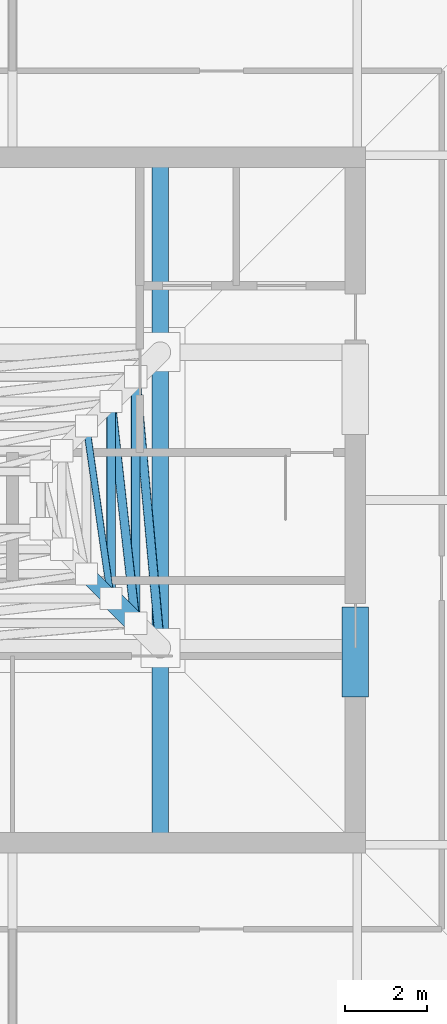
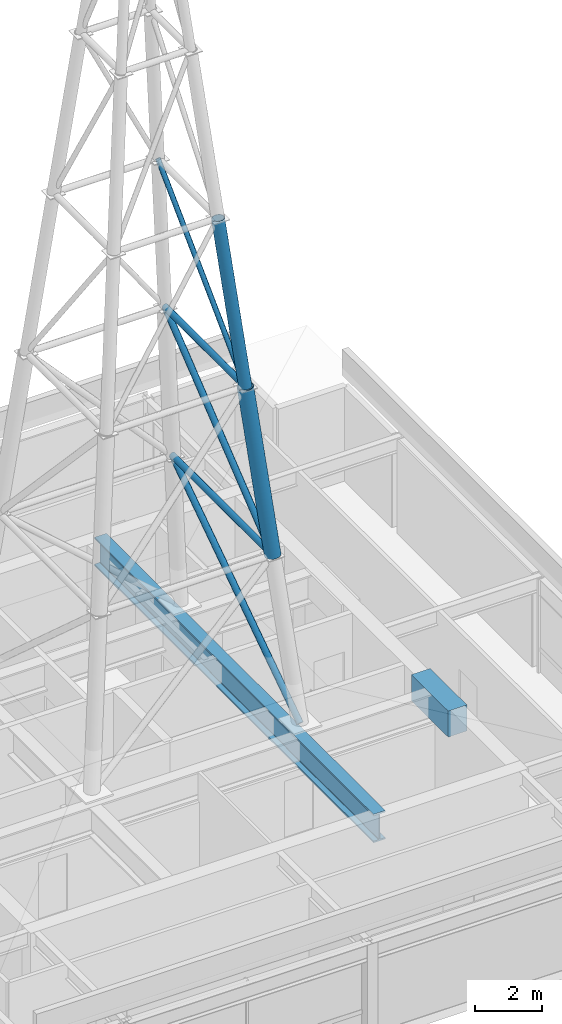
# One storey, part 7 of 13: 7 members, 2 beams.
"""IFC4 building model written with IfcOpenShell, lengths in metres."""

import ifcopenshell
import ifcopenshell.guid

model = None  # the IFC model being written
_history = None  # IfcOwnerHistory: only IFC2X3 demands one
_inside = {}  # id of a spatial element -> (the spatial element, [elements in it])
_under = {}  # id of a project, library or spatial element -> (it, [spatial elements below it])
_declared = {}  # id of a project -> (the project, [libraries it declares])
_typed = {}  # id of a type object -> (the type object, [elements of that type])
_made_of = {}  # id of a material, layer set ... -> (it, [elements and type objects made of it])


def new_model(schema):
    """Start an empty IFC model of exactly this schema.

    Asked for "IFC4X3", IfcOpenShell would pick the latest addendum, in which some entities
    have other attributes; the version numbers below select the first issue.
    IFC2X3 requires an IfcOwnerHistory on every rooted entity: one is made here for all.
    """
    global model, _history
    if schema == "IFC4X3":
        model = ifcopenshell.file(schema_version=(4, 3, 0, 0))
    else:
        model = ifcopenshell.file(schema=schema)
    _inside.clear()
    _under.clear()
    _declared.clear()
    _typed.clear()
    _made_of.clear()
    _history = None
    if model.schema == "IFC2X3":
        org = make("IfcOrganization", Name="unknown")
        user = make(
            "IfcPersonAndOrganization",
            ThePerson=make("IfcPerson", FamilyName="unknown"),
            TheOrganization=org,
        )
        app = make(
            "IfcApplication",
            ApplicationDeveloper=org,
            Version="unknown",
            ApplicationFullName="unknown",
            ApplicationIdentifier="unknown",
        )
        _history = make(
            "IfcOwnerHistory",
            OwningUser=user,
            OwningApplication=app,
            ChangeAction="ADDED",
            CreationDate=0,
        )
    return model


def make(cls, **values):
    """One entity of the class cls with the attributes given. An attribute that is None is left unset."""
    return model.create_entity(
        cls, **{name: value for name, value in values.items() if value is not None}
    )


def rooted(cls, **values):
    """An entity with a GlobalId (a new one), such as an element, a storey or a relation."""
    return make(cls, GlobalId=ifcopenshell.guid.new(), OwnerHistory=_history, **values)


def si_unit(unit_type, name, prefix=None):
    """IfcSIUnit, for example si_unit("LENGTHUNIT", "METRE", prefix="MILLI")."""
    return make("IfcSIUnit", UnitType=unit_type, Prefix=prefix, Name=name)


def assignment(units):
    """IfcUnitAssignment: the units of a project."""
    return None if units is None else make("IfcUnitAssignment", Units=units)


def point(xyz):
    """IfcCartesianPoint."""
    return None if xyz is None else make("IfcCartesianPoint", Coordinates=xyz)


def direction(xyz):
    """IfcDirection."""
    return None if xyz is None else make("IfcDirection", DirectionRatios=xyz)


def frame(location, z_axis=None, x_axis=None):
    """IfcAxis2Placement3D, a coordinate frame: its origin and axes. An axis left out is left unset."""
    return make(
        "IfcAxis2Placement3D",
        Location=point(location),
        Axis=direction(z_axis),
        RefDirection=direction(x_axis),
    )


def frame_2d(location, x_axis=None):
    """IfcAxis2Placement2D, a coordinate frame in the plane: its origin and x axis."""
    return make(
        "IfcAxis2Placement2D", Location=point(location), RefDirection=direction(x_axis)
    )


def origin():
    """The frame at (0, 0, 0) with its axes left unset."""
    return frame((0.0, 0.0, 0.0))


def origin_2d():
    """The frame at (0, 0) in the plane with its x axis left unset."""
    return frame_2d((0.0, 0.0))


def place(relative_to, where):
    """IfcLocalPlacement: puts the frame where relative to a parent placement (None: the world)."""
    return make(
        "IfcLocalPlacement", PlacementRelTo=relative_to, RelativePlacement=where
    )


def context(
    kind, dimensions, precision=None, world=None, true_north=None, identifier=None
):
    """IfcGeometricRepresentationContext, for example the 3D "Model" context."""
    return make(
        "IfcGeometricRepresentationContext",
        ContextIdentifier=identifier,
        ContextType=kind,
        CoordinateSpaceDimension=dimensions,
        Precision=precision,
        WorldCoordinateSystem=world,
        TrueNorth=true_north,
    )


def subcontext(parent, identifier, kind, view, scale=None):
    """IfcGeometricRepresentationSubContext, for example "Body" below "Model"."""
    return make(
        "IfcGeometricRepresentationSubContext",
        ContextIdentifier=identifier,
        ContextType=kind,
        ParentContext=parent,
        TargetScale=scale,
        TargetView=view,
    )


def project(units=None, contexts=None):
    """IfcProject with its units and contexts."""
    return rooted(
        "IfcProject",
        Name="project",
        RepresentationContexts=contexts,
        UnitsInContext=assignment(units),
    )


def spatial(cls, under=None, at=None, **own):
    """A site, building, storey or space (cls), placed at a placement, below another one or the project."""
    s = rooted(cls, ObjectPlacement=at, **own)
    if under is not None:
        _under.setdefault(under.id(), (under, []))[1].append(s)
    return s


def profile(cls, at=None, kind="AREA", **sizes):
    """A parametric profile (cls). Its sizes go by their IFC names, for example OverallWidth=200.0."""
    return make(cls, ProfileType=kind, Position=at, **sizes)


def rectangle(**sizes):
    """IfcRectangleProfileDef."""
    return profile("IfcRectangleProfileDef", **sizes)


def hollow_circle(**sizes):
    """IfcCircleHollowProfileDef."""
    return profile("IfcCircleHollowProfileDef", **sizes)


def i_section(**sizes):
    """IfcIShapeProfileDef."""
    return profile("IfcIShapeProfileDef", **sizes)


def extrude(swept, where, along, depth):
    """IfcExtrudedAreaSolid: the profile swept, set in the frame where, extruded along a direction by depth."""
    return make(
        "IfcExtrudedAreaSolid",
        SweptArea=swept,
        Position=where,
        ExtrudedDirection=direction(along),
        Depth=depth,
    )


def shape(context_of_items, identifier, shape_type, items):
    """IfcShapeRepresentation: the items that make up one representation, for example the "Body"."""
    return make(
        "IfcShapeRepresentation",
        ContextOfItems=context_of_items,
        RepresentationIdentifier=identifier,
        RepresentationType=shape_type,
        Items=items,
    )


def material(Name=None, Category=None):
    """IfcMaterial."""
    return make("IfcMaterial", Name=Name, Category=Category)


def material_profile(
    of_material, cross_section, Name=None, Category=None, Priority=None
):
    """IfcMaterialProfile: a cross section and its material."""
    return make(
        "IfcMaterialProfile",
        Name=Name,
        Material=of_material,
        Profile=cross_section,
        Priority=Priority,
        Category=Category,
    )


def profile_set(profiles, Name=None, composite=None):
    """IfcMaterialProfileSet."""
    return make(
        "IfcMaterialProfileSet",
        Name=Name,
        MaterialProfiles=profiles,
        CompositeProfile=composite,
    )


def made_of(thing, what):
    """Note that an element or type object is made of a material, layer set ...; save() writes the relation."""
    if what is not None:
        _made_of.setdefault(what.id(), (what, []))[1].append(thing)
    return thing


def type_object(cls, material=None, **own):
    """A type object (cls), such as IfcWallType, which elements share."""
    return made_of(rooted(cls, **own), material)


def element(
    cls,
    number,
    at=None,
    inside=None,
    cuts=None,
    type_object=None,
    material=None,
    context=None,
    identifier="Body",
    shape_type=None,
    held_by="IfcProductDefinitionShape",
    body=None,
    shapes=None,
    **own,
):
    """One element of the class cls, such as IfcWall. Its Tag is "e" and its number.

    at: its placement. inside: the storey or other place that contains it. cuts: it is an
    opening in that element (IfcRelVoidsElement). A single representation is given by context,
    identifier, shape_type and body (its items); several are given by shapes. held_by: the class
    of the entity that holds the representations. save() writes the other relations.
    """
    e = rooted(cls, Tag="e%d" % number, ObjectPlacement=at, **own)
    if body is not None:
        shapes = [shape(context, identifier, shape_type, body)]
    if shapes is not None:
        e.Representation = make(held_by, Representations=shapes)
    if inside is not None:
        _inside.setdefault(inside.id(), (inside, []))[1].append(e)
    if cuts is not None:
        rooted(
            "IfcRelVoidsElement", RelatingBuildingElement=cuts, RelatedOpeningElement=e
        )
    if type_object is not None:
        _typed.setdefault(type_object.id(), (type_object, []))[1].append(e)
    return made_of(e, material)


def aggregate(whole, parts):
    """IfcRelAggregates: a whole, such as a stair, and the parts it consists of."""
    return rooted("IfcRelAggregates", RelatingObject=whole, RelatedObjects=parts)


def save(model, path):
    """Write the relations noted so far, then the file.

    IfcRelAggregates (storeys below a building ...), IfcRelContainedInSpatialStructure (elements
    in a storey), IfcRelDefinesByType, IfcRelAssociatesMaterial and IfcRelDeclares: one each for
    every whole, place, type object, material and project.
    """
    for whole, parts in _under.values():
        aggregate(whole, parts)
    for where, things in _inside.values():
        rooted(
            "IfcRelContainedInSpatialStructure",
            RelatedElements=things,
            RelatingStructure=where,
        )
    for kind, things in _typed.values():
        rooted("IfcRelDefinesByType", RelatedObjects=things, RelatingType=kind)
    for what, things in _made_of.values():
        rooted("IfcRelAssociatesMaterial", RelatedObjects=things, RelatingMaterial=what)
    for by, libraries in _declared.values():
        rooted("IfcRelDeclares", RelatingContext=by, RelatedDefinitions=libraries)
    model.write(path)


model = new_model("IFC4")

# Units and contexts
model_context = context("Model", 3, precision=1e-05, world=origin(), true_north=direction((0.0, 1.0)))
body_context = subcontext(model_context, "Body", "Model", "MODEL_VIEW")
ifc_project = project(units=[si_unit("LENGTHUNIT", "METRE"), si_unit("AREAUNIT", "SQUARE_METRE"), si_unit("VOLUMEUNIT", "CUBIC_METRE"), si_unit("PLANEANGLEUNIT", "RADIAN"), si_unit("MASSUNIT", "GRAM", prefix="KILO")], contexts=[model_context])

# Site, building, storey
site_placement = place(None, origin())
site = spatial("IfcSite", under=ifc_project, at=site_placement, CompositionType="ELEMENT")
building_placement = place(site_placement, origin())
building = spatial("IfcBuilding", under=site, at=building_placement, Name="Drelvath Grand Hotel", CompositionType="ELEMENT")
storey_placement = place(building_placement, frame((0.0, 0.0, 323.199951171875)))
storey = spatial("IfcBuildingStorey", under=building, at=storey_placement, Name="L84", CompositionType="ELEMENT", Elevation=323.199951171875)

# Members
ifc_material_1 = material(Name="Steel ASTM A500 Gr C", Category="steel")
ifc_material_profile_1 = material_profile(ifc_material_1, hollow_circle(Radius=0.084228515625, WallThickness=0.009521484375, at=origin_2d()), Name="CHS168X10")
ifc_profile_set_1 = profile_set([ifc_material_profile_1], Name="Steel ASTM A500 Gr C")
member_type_1 = type_object("IfcMemberType", Name="Broadcast Mast Lattice Brace CHS168X10", PredefinedType="BRACE", material=ifc_profile_set_1)
member_1_placement = place(storey_placement, frame((2.39990234375, 24.60009765625, 15.800048828125), z_axis=(-0.081630166949, 0.57154406269, 0.816501010561), x_axis=(-0.989954096771, -0.141389130719, 0.0)))
element("IfcMember", 1, at=member_1_placement, inside=storey, type_object=member_type_1, Name="Broadcast Mast Lattice Brace T3-E", PredefinedType="BRACE", context=body_context, shape_type="SweptSolid", body=[
    extrude(hollow_circle(Radius=0.084228515625, WallThickness=0.009521484375, at=origin_2d()), origin(), (0.0, 0.0, 1.0), 7.348388671875),
])
ifc_material_profile_2 = material_profile(ifc_material_1, hollow_circle(Radius=0.109619140625, WallThickness=0.0126953125, at=origin_2d()), Name="CHS219X13")
ifc_profile_set_2 = profile_set([ifc_material_profile_2], Name="Steel ASTM A500 Gr C")
member_type_2 = type_object("IfcMemberType", Name="Broadcast Mast Lattice Brace CHS219X13", PredefinedType="BRACE", material=ifc_profile_set_2)
member_2_placement = place(storey_placement, frame((3.60009765625, 23.39990234375, 3.800048828125), z_axis=(-0.067125938715, 0.73827608919, 0.671150150475), x_axis=(-0.995891998559, -0.090549032051, 0.0)))
element("IfcMember", 2, at=member_2_placement, inside=storey, type_object=member_type_2, Name="Broadcast Mast Lattice Brace T1-E", PredefinedType="BRACE", context=body_context, shape_type="SweptSolid", body=[
    extrude(hollow_circle(Radius=0.109619140625, WallThickness=0.0126953125, at=origin_2d()), origin(), (0.0, 0.0, 1.0), 8.93994140625),
])
member_3_placement = place(storey_placement, frame((3.0, 24.0, 9.800048828125), z_axis=(-0.074137526664, 0.667117093069, 0.741254619733), x_axis=(-0.993881542506, -0.110451253797, 0.0)))
element("IfcMember", 3, at=member_3_placement, inside=storey, type_object=member_type_2, Name="Broadcast Mast Lattice Brace T2-E", PredefinedType="BRACE", context=body_context, shape_type="SweptSolid", body=[
    extrude(hollow_circle(Radius=0.109619140625, WallThickness=0.0126953125, at=origin_2d()), origin(), (0.0, 0.0, 1.0), 8.094482421875),
])
ifc_material_profile_3 = material_profile(ifc_material_1, hollow_circle(Radius=0.203125, WallThickness=0.01904296875, at=origin_2d()), Name="CHS406X19")
ifc_profile_set_3 = profile_set([ifc_material_profile_3], Name="Steel ASTM A500 Gr C")
member_type_3 = type_object("IfcMemberType", Name="Broadcast Mast Leg Post CHS406X19", PredefinedType="POST", material=ifc_profile_set_3)
member_4_placement = place(storey_placement, frame((2.39990234375, 24.60009765625, 15.800048828125), z_axis=(-0.098991054594, 0.098991054594, 0.990152282339), x_axis=(-0.707106781187, -0.707106781187, 0.0)))
element("IfcMember", 4, at=member_4_placement, inside=storey, type_object=member_type_3, Name="Broadcast Mast Leg Post T3-SE", PredefinedType="POST", context=body_context, shape_type="SweptSolid", body=[
    extrude(hollow_circle(Radius=0.203125, WallThickness=0.01904296875, at=origin_2d()), origin(), (0.0, 0.0, 1.0), 6.0595703125),
])
ifc_material_2 = material(Name="Steel ASTM A501 Gr B", Category="steel")
ifc_material_profile_4 = material_profile(ifc_material_2, hollow_circle(Radius=0.25390625, WallThickness=0.025390625, at=origin_2d()), Name="CHS508X25")
ifc_profile_set_4 = profile_set([ifc_material_profile_4], Name="Steel ASTM A501 Gr B")
member_type_4 = type_object("IfcMemberType", Name="Broadcast Mast Leg Post CHS508X25", PredefinedType="POST", material=ifc_profile_set_4)
member_5_placement = place(storey_placement, frame((3.0, 24.0, 9.800048828125), z_axis=(-0.099030553911, 0.099030553911, 0.990144382797), x_axis=(-0.707106781187, -0.707106781187, 0.0)))
element("IfcMember", 5, at=member_5_placement, inside=storey, type_object=member_type_4, Name="Broadcast Mast Leg Post T2-SE", PredefinedType="POST", context=body_context, shape_type="SweptSolid", body=[
    extrude(hollow_circle(Radius=0.25390625, WallThickness=0.025390625, at=origin_2d()), origin(), (0.0, 0.0, 1.0), 6.059814453125),
])
ifc_material_profile_5 = material_profile(ifc_material_1, hollow_circle(Radius=0.109619140625, WallThickness=0.0126953125, at=origin_2d()), Name="CHS219X13")
ifc_profile_set_5 = profile_set([ifc_material_profile_5], Name="Steel ASTM A500 Gr C")
member_type_5 = type_object("IfcMemberType", Name="Broadcast Mast Ring Chord CHS219X13", PredefinedType="CHORD", material=ifc_profile_set_5)
member_6_placement = place(storey_placement, frame((3.0, 24.0, 9.800048828125), z_axis=(0.0, 1.0, 0.0), x_axis=(-1.0, 0.0, 0.0)))
element("IfcMember", 6, at=member_6_placement, inside=storey, type_object=member_type_5, Name="Broadcast Mast Ring Chord T1-E", PredefinedType="CHORD", context=body_context, shape_type="SweptSolid", body=[
    extrude(hollow_circle(Radius=0.109619140625, WallThickness=0.0126953125, at=origin_2d()), origin(), (0.0, 0.0, 1.0), 6.0),
])
member_7_placement = place(storey_placement, frame((2.39990234375, 24.60009765625, 15.800048828125), z_axis=(0.0, 1.0, 0.0), x_axis=(-1.0, 0.0, 0.0)))
element("IfcMember", 7, at=member_7_placement, inside=storey, type_object=member_type_5, Name="Broadcast Mast Ring Chord T2-E", PredefinedType="CHORD", context=body_context, shape_type="SweptSolid", body=[
    extrude(hollow_circle(Radius=0.109619140625, WallThickness=0.0126953125, at=origin_2d()), origin(), (0.0, 0.0, 1.0), 4.7998046875),
])

# Beams
ifc_material_3 = material(Name="Concrete f'c 55 MPa", Category="concrete")
ifc_material_profile_6 = material_profile(ifc_material_3, rectangle(XDim=0.64990234375, YDim=0.949951171875, at=origin_2d()), Name="CB650X950")
ifc_profile_set_6 = profile_set([ifc_material_profile_6], Name="Concrete f'c 55 MPa")
beam_type_1 = type_object("IfcBeamType", Name="Core Coupling Lintel CB650X950", PredefinedType="LINTEL", material=ifc_profile_set_6)
beam_1_placement = place(storey_placement, frame((8.35009765625, 22.199951171875, 2.945068359375), z_axis=(0.0, 1.0, 0.0), x_axis=(-1.0, 0.0, 0.0)))
element("IfcBeam", 8, at=beam_1_placement, inside=storey, type_object=beam_type_1, Name="L84 Core Coupling Lintel ES", PredefinedType="LINTEL", context=body_context, shape_type="SweptSolid", body=[
    extrude(rectangle(XDim=0.64990234375, YDim=0.949951171875, at=origin_2d()), origin(), (0.0, 0.0, 1.0), 2.199951171875),
])
ifc_material_4 = material(Name="Steel ASTM A992 Gr 50", Category="steel")
ifc_material_profile_7 = material_profile(ifc_material_4, i_section(OverallWidth=0.40966796875, OverallDepth=1.037353515625, WebThickness=0.031005859375, FlangeThickness=0.055908203125, FilletRadius=0.030029296875, at=origin_2d()), Name="W40X397")
ifc_profile_set_7 = profile_set([ifc_material_profile_7], Name="Steel ASTM A992 Gr 50")
beam_type_2 = type_object("IfcBeamType", Name="Primary Floor Girder W40X397", PredefinedType="BEAM", material=ifc_profile_set_7)
beam_2_placement = place(storey_placement, frame((3.60009765625, 18.64990234375, 2.9013671875), z_axis=(0.0, 1.0, 0.0), x_axis=(-1.0, 0.0, 0.0)))
element("IfcBeam", 9, at=beam_2_placement, inside=storey, type_object=beam_type_2, Name="L84 Broadcast Mast Base Transfer Girder East", PredefinedType="BEAM", context=body_context, shape_type="SweptSolid", body=[
    extrude(i_section(OverallWidth=0.40966796875, OverallDepth=1.037353515625, WebThickness=0.031005859375, FlangeThickness=0.055908203125, FilletRadius=0.030029296875, at=origin_2d()), origin(), (0.0, 0.0, 1.0), 16.7001953125),
])

save(model, "model.ifc")
